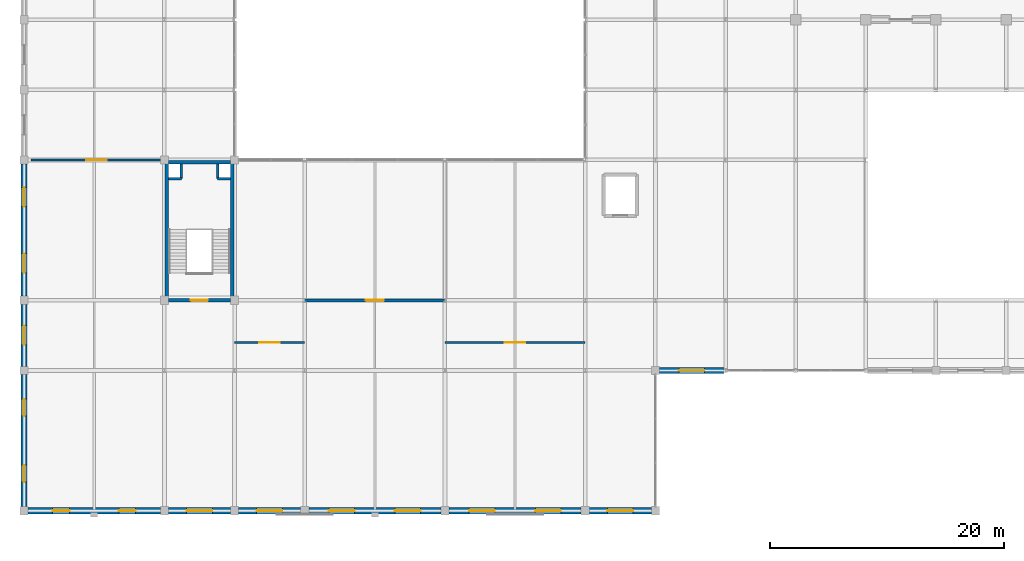
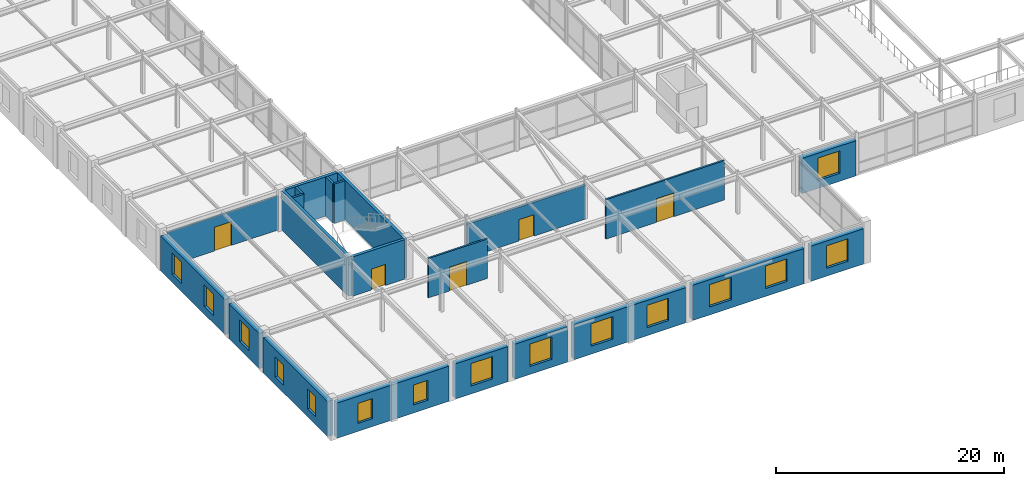
# One storey, part 97 of 108: 22 walls, 15 windows, 5 doors, 20 openings.
"""IFC4 building model written with IfcOpenShell, lengths in metres."""

import ifcopenshell
import ifcopenshell.guid

model = None  # the IFC model being written
_history = None  # IfcOwnerHistory: only IFC2X3 demands one
_inside = {}  # id of a spatial element -> (the spatial element, [elements in it])
_under = {}  # id of a project, library or spatial element -> (it, [spatial elements below it])
_declared = {}  # id of a project -> (the project, [libraries it declares])
_typed = {}  # id of a type object -> (the type object, [elements of that type])
_made_of = {}  # id of a material, layer set ... -> (it, [elements and type objects made of it])


def new_model(schema):
    """Start an empty IFC model of exactly this schema.

    Asked for "IFC4X3", IfcOpenShell would pick the latest addendum, in which some entities
    have other attributes; the version numbers below select the first issue.
    IFC2X3 requires an IfcOwnerHistory on every rooted entity: one is made here for all.
    """
    global model, _history
    if schema == "IFC4X3":
        model = ifcopenshell.file(schema_version=(4, 3, 0, 0))
    else:
        model = ifcopenshell.file(schema=schema)
    _inside.clear()
    _under.clear()
    _declared.clear()
    _typed.clear()
    _made_of.clear()
    _history = None
    if model.schema == "IFC2X3":
        org = make("IfcOrganization", Name="unknown")
        user = make(
            "IfcPersonAndOrganization",
            ThePerson=make("IfcPerson", FamilyName="unknown"),
            TheOrganization=org,
        )
        app = make(
            "IfcApplication",
            ApplicationDeveloper=org,
            Version="unknown",
            ApplicationFullName="unknown",
            ApplicationIdentifier="unknown",
        )
        _history = make(
            "IfcOwnerHistory",
            OwningUser=user,
            OwningApplication=app,
            ChangeAction="ADDED",
            CreationDate=0,
        )
    return model


def make(cls, **values):
    """One entity of the class cls with the attributes given. An attribute that is None is left unset."""
    return model.create_entity(
        cls, **{name: value for name, value in values.items() if value is not None}
    )


def rooted(cls, **values):
    """An entity with a GlobalId (a new one), such as an element, a storey or a relation."""
    return make(cls, GlobalId=ifcopenshell.guid.new(), OwnerHistory=_history, **values)


def si_unit(unit_type, name, prefix=None):
    """IfcSIUnit, for example si_unit("LENGTHUNIT", "METRE", prefix="MILLI")."""
    return make("IfcSIUnit", UnitType=unit_type, Prefix=prefix, Name=name)


def assignment(units):
    """IfcUnitAssignment: the units of a project."""
    return None if units is None else make("IfcUnitAssignment", Units=units)


def point(xyz):
    """IfcCartesianPoint."""
    return None if xyz is None else make("IfcCartesianPoint", Coordinates=xyz)


def direction(xyz):
    """IfcDirection."""
    return None if xyz is None else make("IfcDirection", DirectionRatios=xyz)


def frame(location, z_axis=None, x_axis=None):
    """IfcAxis2Placement3D, a coordinate frame: its origin and axes. An axis left out is left unset."""
    return make(
        "IfcAxis2Placement3D",
        Location=point(location),
        Axis=direction(z_axis),
        RefDirection=direction(x_axis),
    )


def frame_2d(location, x_axis=None):
    """IfcAxis2Placement2D, a coordinate frame in the plane: its origin and x axis."""
    return make(
        "IfcAxis2Placement2D", Location=point(location), RefDirection=direction(x_axis)
    )


def origin():
    """The frame at (0, 0, 0) with its axes left unset."""
    return frame((0.0, 0.0, 0.0))


def place(relative_to, where):
    """IfcLocalPlacement: puts the frame where relative to a parent placement (None: the world)."""
    return make(
        "IfcLocalPlacement", PlacementRelTo=relative_to, RelativePlacement=where
    )


def context(
    kind, dimensions, precision=None, world=None, true_north=None, identifier=None
):
    """IfcGeometricRepresentationContext, for example the 3D "Model" context."""
    return make(
        "IfcGeometricRepresentationContext",
        ContextIdentifier=identifier,
        ContextType=kind,
        CoordinateSpaceDimension=dimensions,
        Precision=precision,
        WorldCoordinateSystem=world,
        TrueNorth=true_north,
    )


def subcontext(parent, identifier, kind, view, scale=None):
    """IfcGeometricRepresentationSubContext, for example "Body" below "Model"."""
    return make(
        "IfcGeometricRepresentationSubContext",
        ContextIdentifier=identifier,
        ContextType=kind,
        ParentContext=parent,
        TargetScale=scale,
        TargetView=view,
    )


def project(units=None, contexts=None):
    """IfcProject with its units and contexts."""
    return rooted(
        "IfcProject",
        Name="project",
        RepresentationContexts=contexts,
        UnitsInContext=assignment(units),
    )


def spatial(cls, under=None, at=None, **own):
    """A site, building, storey or space (cls), placed at a placement, below another one or the project."""
    s = rooted(cls, ObjectPlacement=at, **own)
    if under is not None:
        _under.setdefault(under.id(), (under, []))[1].append(s)
    return s


def profile(cls, at=None, kind="AREA", **sizes):
    """A parametric profile (cls). Its sizes go by their IFC names, for example OverallWidth=200.0."""
    return make(cls, ProfileType=kind, Position=at, **sizes)


def rectangle(**sizes):
    """IfcRectangleProfileDef."""
    return profile("IfcRectangleProfileDef", **sizes)


def extrude(swept, where, along, depth):
    """IfcExtrudedAreaSolid: the profile swept, set in the frame where, extruded along a direction by depth."""
    return make(
        "IfcExtrudedAreaSolid",
        SweptArea=swept,
        Position=where,
        ExtrudedDirection=direction(along),
        Depth=depth,
    )


def shape(context_of_items, identifier, shape_type, items):
    """IfcShapeRepresentation: the items that make up one representation, for example the "Body"."""
    return make(
        "IfcShapeRepresentation",
        ContextOfItems=context_of_items,
        RepresentationIdentifier=identifier,
        RepresentationType=shape_type,
        Items=items,
    )


def material(Name=None, Category=None):
    """IfcMaterial."""
    return make("IfcMaterial", Name=Name, Category=Category)


def layer(
    of_material, thickness, ventilated=None, Name=None, Category=None, Priority=None
):
    """IfcMaterialLayer: one layer of a wall or slab, of a material (None: an air gap)."""
    return make(
        "IfcMaterialLayer",
        Material=of_material,
        LayerThickness=thickness,
        IsVentilated=ventilated,
        Name=Name,
        Category=Category,
        Priority=Priority,
    )


def layer_set(layers, Name=None):
    """IfcMaterialLayerSet."""
    return make("IfcMaterialLayerSet", MaterialLayers=layers, LayerSetName=Name)


def made_of(thing, what):
    """Note that an element or type object is made of a material, layer set ...; save() writes the relation."""
    if what is not None:
        _made_of.setdefault(what.id(), (what, []))[1].append(thing)
    return thing


def type_object(cls, material=None, **own):
    """A type object (cls), such as IfcWallType, which elements share."""
    return made_of(rooted(cls, **own), material)


def element(
    cls,
    number,
    at=None,
    inside=None,
    cuts=None,
    type_object=None,
    material=None,
    context=None,
    identifier="Body",
    shape_type=None,
    held_by="IfcProductDefinitionShape",
    body=None,
    shapes=None,
    **own,
):
    """One element of the class cls, such as IfcWall. Its Tag is "e" and its number.

    at: its placement. inside: the storey or other place that contains it. cuts: it is an
    opening in that element (IfcRelVoidsElement). A single representation is given by context,
    identifier, shape_type and body (its items); several are given by shapes. held_by: the class
    of the entity that holds the representations. save() writes the other relations.
    """
    e = rooted(cls, Tag="e%d" % number, ObjectPlacement=at, **own)
    if body is not None:
        shapes = [shape(context, identifier, shape_type, body)]
    if shapes is not None:
        e.Representation = make(held_by, Representations=shapes)
    if inside is not None:
        _inside.setdefault(inside.id(), (inside, []))[1].append(e)
    if cuts is not None:
        rooted(
            "IfcRelVoidsElement", RelatingBuildingElement=cuts, RelatedOpeningElement=e
        )
    if type_object is not None:
        _typed.setdefault(type_object.id(), (type_object, []))[1].append(e)
    return made_of(e, material)


def fill(opening, filler):
    """IfcRelFillsElement: the door or window that sits in an opening."""
    return rooted(
        "IfcRelFillsElement",
        RelatingOpeningElement=opening,
        RelatedBuildingElement=filler,
    )


def aggregate(whole, parts):
    """IfcRelAggregates: a whole, such as a stair, and the parts it consists of."""
    return rooted("IfcRelAggregates", RelatingObject=whole, RelatedObjects=parts)


def save(model, path):
    """Write the relations noted so far, then the file.

    IfcRelAggregates (storeys below a building ...), IfcRelContainedInSpatialStructure (elements
    in a storey), IfcRelDefinesByType, IfcRelAssociatesMaterial and IfcRelDeclares: one each for
    every whole, place, type object, material and project.
    """
    for whole, parts in _under.values():
        aggregate(whole, parts)
    for where, things in _inside.values():
        rooted(
            "IfcRelContainedInSpatialStructure",
            RelatedElements=things,
            RelatingStructure=where,
        )
    for kind, things in _typed.values():
        rooted("IfcRelDefinesByType", RelatedObjects=things, RelatingType=kind)
    for what, things in _made_of.values():
        rooted("IfcRelAssociatesMaterial", RelatedObjects=things, RelatingMaterial=what)
    for by, libraries in _declared.values():
        rooted("IfcRelDeclares", RelatingContext=by, RelatedDefinitions=libraries)
    model.write(path)


model = new_model("IFC4")

# Units and contexts
model_context = context("Model", 3, precision=1e-05, world=origin(), true_north=direction((0.0, 1.0)))
body_context = subcontext(model_context, "Body", "Model", "MODEL_VIEW")
ifc_project = project(units=[si_unit("LENGTHUNIT", "METRE"), si_unit("AREAUNIT", "SQUARE_METRE"), si_unit("VOLUMEUNIT", "CUBIC_METRE"), si_unit("PLANEANGLEUNIT", "RADIAN"), si_unit("MASSUNIT", "GRAM", prefix="KILO")], contexts=[model_context])

# Site, building, storey
site_placement = place(None, origin())
site = spatial("IfcSite", under=ifc_project, at=site_placement, CompositionType="ELEMENT")
building_placement = place(site_placement, origin())
building = spatial("IfcBuilding", under=site, at=building_placement, Name="Zlatovratsky Civic Hall", CompositionType="ELEMENT")
storey_placement = place(building_placement, frame((0.0, 0.0, 12.0)))
storey = spatial("IfcBuildingStorey", under=building, at=storey_placement, Name="L03", CompositionType="ELEMENT", Elevation=12.0)

# Wall, opening, door
ifc_material_1 = material(Name="Acoustic ceramic blockwork", Category="masonry")
ifc_layer_1 = layer(ifc_material_1, 0.179931640625)
ifc_layer_set_1 = layer_set([ifc_layer_1], Name="Acoustic ceramic blockwork")
wall_type_1 = type_object("IfcWallType", Name="Wall_AcousticChamberPartition_180", PredefinedType="PARTITIONING", material=ifc_layer_set_1)
wall_1_placement = place(storey_placement, frame((18.0, 14.39990234375, 0.0), z_axis=(0.0, 0.0, 1.0), x_axis=(1.0, 0.0, 0.0)))
wall_1 = element("IfcWall", 1, at=wall_1_placement, inside=storey, type_object=wall_type_1, Name="WL-6173", PredefinedType="PARTITIONING", context=body_context, shape_type="SweptSolid", body=[
    extrude(rectangle(XDim=6.0, YDim=0.179931640625, at=frame_2d((3.0, 0.0))), origin(), (0.0, 0.0, 1.0), 4.219970703125),
])
opening_1_placement = place(wall_1_placement, frame((2.125, 0.0, 0.0)))
opening_1 = element("IfcOpeningElement", 2, at=opening_1_placement, cuts=wall_1, Name="Opening D-13", PredefinedType="OPENING", context=body_context, shape_type="SweptSolid", body=[
    extrude(rectangle(XDim=1.75, YDim=2.550048828125, at=frame_2d((0.875, 1.27490234375))), frame((0.0, 0.10498046875, 0.0), z_axis=(0.0, -1.0, 0.0), x_axis=(1.0, 0.0, 0.0)), (0.0, 0.0, 1.0), 0.209716796875),
])
ifc_material_2 = material(Name="Solid oak joinery in steel frame", Category="steel")
door_type_1 = type_object("IfcDoorType", Name="Door_CommitteeSuiteDouble_1750x2550", OperationType="DOUBLE_DOOR_SINGLE_SWING", PredefinedType="DOOR", material=ifc_material_2)
door_1_placement = place(opening_1_placement, origin())
door_1 = element("IfcDoor", 3, at=door_1_placement, inside=storey, type_object=door_type_1, Name="DR-5294", OperationType="DOUBLE_DOOR_SINGLE_SWING", OverallHeight=2.550048828125, OverallWidth=1.75, PredefinedType="DOOR", context=body_context, shape_type="SweptSolid", body=[
    extrude(rectangle(XDim=1.75, YDim=2.550048828125, at=frame_2d((0.875, 1.27490234375))), frame((0.0, 0.02490234375, 0.0), z_axis=(0.0, -1.0, 0.0), x_axis=(1.0, 0.0, 0.0)), (0.0, 0.0, 1.0), 0.050048828125),
])
fill(opening_1, door_1)

wall_2_placement = place(storey_placement, frame((36.0, 14.39990234375, 0.0), z_axis=(0.0, 0.0, 1.0), x_axis=(1.0, 0.0, 0.0)))
wall_2 = element("IfcWall", 4, at=wall_2_placement, inside=storey, type_object=wall_type_1, Name="WL-6174", PredefinedType="PARTITIONING", context=body_context, shape_type="SweptSolid", body=[
    extrude(rectangle(XDim=12.0, YDim=0.179931640625, at=frame_2d((6.0, 0.0))), origin(), (0.0, 0.0, 1.0), 4.219970703125),
])
opening_2_placement = place(wall_2_placement, frame((5.125, 0.0, 0.0)))
opening_2 = element("IfcOpeningElement", 5, at=opening_2_placement, cuts=wall_2, Name="Opening D-13", PredefinedType="OPENING", context=body_context, shape_type="SweptSolid", body=[
    extrude(rectangle(XDim=1.75, YDim=2.550048828125, at=frame_2d((0.875, 1.27490234375))), frame((0.0, 0.10498046875, 0.0), z_axis=(0.0, -1.0, 0.0), x_axis=(1.0, 0.0, 0.0)), (0.0, 0.0, 1.0), 0.209716796875),
])
door_2_placement = place(opening_2_placement, origin())
door_2 = element("IfcDoor", 6, at=door_2_placement, inside=storey, type_object=door_type_1, Name="DR-5295", OperationType="DOUBLE_DOOR_SINGLE_SWING", OverallHeight=2.550048828125, OverallWidth=1.75, PredefinedType="DOOR", context=body_context, shape_type="SweptSolid", body=[
    extrude(rectangle(XDim=1.75, YDim=2.550048828125, at=frame_2d((0.875, 1.27490234375))), frame((0.0, 0.02490234375, 0.0), z_axis=(0.0, -1.0, 0.0), x_axis=(1.0, 0.0, 0.0)), (0.0, 0.0, 1.0), 0.050048828125),
])
fill(opening_2, door_2)

wall_3_placement = place(storey_placement, frame((0.60009765625, 30.0, 0.0), z_axis=(0.0, 0.0, 1.0), x_axis=(1.0, 0.0, 0.0)))
wall_3 = element("IfcWall", 7, at=wall_3_placement, inside=storey, type_object=wall_type_1, Name="WL-6175", PredefinedType="PARTITIONING", context=body_context, shape_type="SweptSolid", body=[
    extrude(rectangle(XDim=11.199951171875, YDim=0.179931640625, at=frame_2d((5.60009765625, 0.0))), origin(), (0.0, 0.0, 1.0), 3.637939453125),
])
opening_3_placement = place(wall_3_placement, frame((4.72509765625, 0.0, 0.0)))
opening_3 = element("IfcOpeningElement", 8, at=opening_3_placement, cuts=wall_3, Name="Opening D-13", PredefinedType="OPENING", context=body_context, shape_type="SweptSolid", body=[
    extrude(rectangle(XDim=1.75, YDim=2.550048828125, at=frame_2d((0.875, 1.27490234375))), frame((0.0, 0.10498046875, 0.0), z_axis=(0.0, -1.0, 0.0), x_axis=(1.0, 0.0, 0.0)), (0.0, 0.0, 1.0), 0.209716796875),
])
door_3_placement = place(opening_3_placement, origin())
door_3 = element("IfcDoor", 9, at=door_3_placement, inside=storey, type_object=door_type_1, Name="DR-5296", OperationType="DOUBLE_DOOR_SINGLE_SWING", OverallHeight=2.550048828125, OverallWidth=1.75, PredefinedType="DOOR", context=body_context, shape_type="SweptSolid", body=[
    extrude(rectangle(XDim=1.75, YDim=2.550048828125, at=frame_2d((0.875, 1.27490234375))), frame((0.0, 0.02490234375, 0.0), z_axis=(0.0, -1.0, 0.0), x_axis=(1.0, 0.0, 0.0)), (0.0, 0.0, 1.0), 0.050048828125),
])
fill(opening_3, door_3)

ifc_layer_2 = layer(ifc_material_1, 0.260009765625)
ifc_layer_set_2 = layer_set([ifc_layer_2], Name="Acoustic ceramic blockwork")
wall_type_2 = type_object("IfcWallType", Name="Wall_ArchiveCompartment_260", PredefinedType="PARTITIONING", material=ifc_layer_set_2)
wall_4_placement = place(storey_placement, frame((24.0, 18.0, 0.0), z_axis=(0.0, 0.0, 1.0), x_axis=(1.0, 0.0, 0.0)))
wall_4 = element("IfcWall", 10, at=wall_4_placement, inside=storey, type_object=wall_type_2, Name="WL-6179", PredefinedType="PARTITIONING", context=body_context, shape_type="SweptSolid", body=[
    extrude(rectangle(XDim=12.0, YDim=0.260009765625, at=frame_2d((6.0, 0.0))), origin(), (0.0, 0.0, 1.0), 3.637939453125),
])
opening_4_placement = place(wall_4_placement, frame((5.22509765625, 0.0, 0.0)))
opening_4 = element("IfcOpeningElement", 11, at=opening_4_placement, cuts=wall_4, Name="Opening D-15", PredefinedType="OPENING", context=body_context, shape_type="SweptSolid", body=[
    extrude(rectangle(XDim=1.550048828125, YDim=2.300048828125, at=frame_2d((0.77490234375, 1.14990234375))), frame((0.0, 0.14501953125, 0.0), z_axis=(0.0, -1.0, 0.0), x_axis=(1.0, 0.0, 0.0)), (0.0, 0.0, 1.0), 0.289794921875),
])
ifc_material_3 = material(Name="Insulated painted fire-rated steel leaf", Category="steel")
door_type_2 = type_object("IfcDoorType", Name="Door_CompactArchiveFire_1550x2300", OperationType="DOUBLE_DOOR_SINGLE_SWING", PredefinedType="DOOR", material=ifc_material_3)
door_4_placement = place(opening_4_placement, origin())
door_4 = element("IfcDoor", 12, at=door_4_placement, inside=storey, type_object=door_type_2, Name="DR-5300", OperationType="DOUBLE_DOOR_SINGLE_SWING", OverallHeight=2.300048828125, OverallWidth=1.550048828125, PredefinedType="DOOR", context=body_context, shape_type="SweptSolid", body=[
    extrude(rectangle(XDim=1.550048828125, YDim=2.300048828125, at=frame_2d((0.77490234375, 1.14990234375))), frame((0.0, 0.02490234375, 0.0), z_axis=(0.0, -1.0, 0.0), x_axis=(1.0, 0.0, 0.0)), (0.0, 0.0, 1.0), 0.050048828125),
])
fill(opening_4, door_4)

# Wall, openings, windows
ifc_layer_3 = layer(ifc_material_1, 0.39990234375, Name="Backing")
ifc_material_4 = material(Name="Polished Karelian granite ashlar", Category="masonry")
ifc_layer_4 = layer(ifc_material_4, 0.139892578125, Name="Finish")
ifc_layer_set_3 = layer_set([ifc_layer_3, ifc_layer_4], Name="Acoustic ceramic blockwork")
wall_type_3 = type_object("IfcWallType", Name="Wall_PodiumGraniteArcade_540", PredefinedType="SOLIDWALL", material=ifc_layer_set_3)
wall_5_placement = place(storey_placement, frame((0.35009765625, 0.0, 0.0), z_axis=(0.0, 0.0, 1.0), x_axis=(1.0, 0.0, 0.0)))
wall_5 = element("IfcWall", 13, at=wall_5_placement, inside=storey, type_object=wall_type_3, Name="WL-0241", PredefinedType="SOLIDWALL", context=body_context, shape_type="SweptSolid", body=[
    extrude(rectangle(XDim=11.2998046875, YDim=0.5400390625, at=frame_2d((5.64990234375, 0.0))), origin(), (0.0, 0.0, 1.0), 3.77001953125),
])
opening_5_placement = place(wall_5_placement, frame((2.10009765625, 0.0, 0.85009765625)))
opening_5 = element("IfcOpeningElement", 14, at=opening_5_placement, cuts=wall_5, Name="Opening WN-28", PredefinedType="OPENING", context=body_context, shape_type="SweptSolid", body=[
    extrude(rectangle(XDim=1.449951171875, YDim=2.14990234375, at=frame_2d((0.72509765625, 1.074951171875))), frame((0.0, 0.284912109375, 0.0), z_axis=(0.0, -1.0, 0.0), x_axis=(1.0, 0.0, 0.0)), (0.0, 0.0, 1.0), 0.56982421875),
])
opening_6_placement = place(wall_5_placement, frame((7.75, 0.0, 0.85009765625)))
opening_6 = element("IfcOpeningElement", 15, at=opening_6_placement, cuts=wall_5, Name="Opening WN-28", PredefinedType="OPENING", context=body_context, shape_type="SweptSolid", body=[
    extrude(rectangle(XDim=1.449951171875, YDim=2.14990234375, at=frame_2d((0.72509765625, 1.074951171875))), frame((0.0, 0.284912109375, 0.0), z_axis=(0.0, -1.0, 0.0), x_axis=(1.0, 0.0, 0.0)), (0.0, 0.0, 1.0), 0.56982421875),
])
ifc_material_5 = material(Name="Low-E laminated double glazing", Category="glass")
window_type_1 = type_object("IfcWindowType", Name="Window_CornerBastionUpper_1450x2150", PartitioningType="SINGLE_PANEL", PredefinedType="WINDOW", material=ifc_material_5)
window_1_placement = place(opening_5_placement, origin())
window_1 = element("IfcWindow", 16, at=window_1_placement, inside=storey, type_object=window_type_1, Name="WN-0165", OverallHeight=2.14990234375, OverallWidth=1.449951171875, PartitioningType="SINGLE_PANEL", PredefinedType="WINDOW", context=body_context, shape_type="SweptSolid", body=[
    extrude(rectangle(XDim=1.449951171875, YDim=2.14990234375, at=frame_2d((0.72509765625, 1.074951171875))), frame((0.0, 0.030029296875, 0.0), z_axis=(0.0, -1.0, 0.0), x_axis=(1.0, 0.0, 0.0)), (0.0, 0.0, 1.0), 0.06005859375),
])
fill(opening_5, window_1)
window_2_placement = place(opening_6_placement, origin())
window_2 = element("IfcWindow", 17, at=window_2_placement, inside=storey, type_object=window_type_1, Name="WN-0166", OverallHeight=2.14990234375, OverallWidth=1.449951171875, PartitioningType="SINGLE_PANEL", PredefinedType="WINDOW", context=body_context, shape_type="SweptSolid", body=[
    extrude(rectangle(XDim=1.449951171875, YDim=2.14990234375, at=frame_2d((0.72509765625, 1.074951171875))), frame((0.0, 0.030029296875, 0.0), z_axis=(0.0, -1.0, 0.0), x_axis=(1.0, 0.0, 0.0)), (0.0, 0.0, 1.0), 0.06005859375),
])
fill(opening_6, window_2)

# Wall, opening, window
wall_6_placement = place(storey_placement, frame((12.35009765625, 0.0, 0.0), z_axis=(0.0, 0.0, 1.0), x_axis=(1.0, 0.0, 0.0)))
wall_6 = element("IfcWall", 18, at=wall_6_placement, inside=storey, type_object=wall_type_3, Name="WL-0242", PredefinedType="SOLIDWALL", context=body_context, shape_type="SweptSolid", body=[
    extrude(rectangle(XDim=5.2998046875, YDim=0.5400390625, at=frame_2d((2.64990234375, 0.0))), origin(), (0.0, 0.0, 1.0), 3.77001953125),
])
opening_7_placement = place(wall_6_placement, frame((1.550048828125, 0.0, 0.85009765625)))
opening_7 = element("IfcOpeningElement", 19, at=opening_7_placement, cuts=wall_6, Name="Opening WN-07", PredefinedType="OPENING", context=body_context, shape_type="SweptSolid", body=[
    extrude(rectangle(XDim=2.199951171875, YDim=2.39990234375, at=frame_2d((1.10009765625, 1.199951171875))), frame((0.0, 0.284912109375, 0.0), z_axis=(0.0, -1.0, 0.0), x_axis=(1.0, 0.0, 0.0)), (0.0, 0.0, 1.0), 0.56982421875),
])
window_type_2 = type_object("IfcWindowType", Name="Window_GalleryClerestory_2200x2400", PartitioningType="SINGLE_PANEL", PredefinedType="WINDOW", material=ifc_material_5)
window_3_placement = place(opening_7_placement, origin())
window_3 = element("IfcWindow", 20, at=window_3_placement, inside=storey, type_object=window_type_2, Name="WN-0167", OverallHeight=2.39990234375, OverallWidth=2.199951171875, PartitioningType="SINGLE_PANEL", PredefinedType="WINDOW", context=body_context, shape_type="SweptSolid", body=[
    extrude(rectangle(XDim=2.199951171875, YDim=2.39990234375, at=frame_2d((1.10009765625, 1.199951171875))), frame((0.0, 0.030029296875, 0.0), z_axis=(0.0, -1.0, 0.0), x_axis=(1.0, 0.0, 0.0)), (0.0, 0.0, 1.0), 0.06005859375),
])
fill(opening_7, window_3)

wall_7_placement = place(storey_placement, frame((18.35009765625, 0.0, 0.0), z_axis=(0.0, 0.0, 1.0), x_axis=(1.0, 0.0, 0.0)))
wall_7 = element("IfcWall", 21, at=wall_7_placement, inside=storey, type_object=wall_type_3, Name="WL-0243", PredefinedType="SOLIDWALL", context=body_context, shape_type="SweptSolid", body=[
    extrude(rectangle(XDim=5.2998046875, YDim=0.5400390625, at=frame_2d((2.64990234375, 0.0))), origin(), (0.0, 0.0, 1.0), 3.77001953125),
])
opening_8_placement = place(wall_7_placement, frame((1.550048828125, 0.0, 0.85009765625)))
opening_8 = element("IfcOpeningElement", 22, at=opening_8_placement, cuts=wall_7, Name="Opening WN-07", PredefinedType="OPENING", context=body_context, shape_type="SweptSolid", body=[
    extrude(rectangle(XDim=2.199951171875, YDim=2.39990234375, at=frame_2d((1.10009765625, 1.199951171875))), frame((0.0, 0.284912109375, 0.0), z_axis=(0.0, -1.0, 0.0), x_axis=(1.0, 0.0, 0.0)), (0.0, 0.0, 1.0), 0.56982421875),
])
window_4_placement = place(opening_8_placement, origin())
window_4 = element("IfcWindow", 23, at=window_4_placement, inside=storey, type_object=window_type_2, Name="WN-0168", OverallHeight=2.39990234375, OverallWidth=2.199951171875, PartitioningType="SINGLE_PANEL", PredefinedType="WINDOW", context=body_context, shape_type="SweptSolid", body=[
    extrude(rectangle(XDim=2.199951171875, YDim=2.39990234375, at=frame_2d((1.10009765625, 1.199951171875))), frame((0.0, 0.030029296875, 0.0), z_axis=(0.0, -1.0, 0.0), x_axis=(1.0, 0.0, 0.0)), (0.0, 0.0, 1.0), 0.06005859375),
])
fill(opening_8, window_4)

# Wall, openings, windows
wall_8_placement = place(storey_placement, frame((24.35009765625, 0.0, 0.0), z_axis=(0.0, 0.0, 1.0), x_axis=(1.0, 0.0, 0.0)))
wall_8 = element("IfcWall", 24, at=wall_8_placement, inside=storey, type_object=wall_type_3, Name="WL-0244", PredefinedType="SOLIDWALL", context=body_context, shape_type="SweptSolid", body=[
    extrude(rectangle(XDim=11.2998046875, YDim=0.5400390625, at=frame_2d((5.64990234375, 0.0))), origin(), (0.0, 0.0, 1.0), 3.77001953125),
])
opening_9_placement = place(wall_8_placement, frame((1.72509765625, 0.0, 0.85009765625)))
opening_9 = element("IfcOpeningElement", 25, at=opening_9_placement, cuts=wall_8, Name="Opening WN-07", PredefinedType="OPENING", context=body_context, shape_type="SweptSolid", body=[
    extrude(rectangle(XDim=2.199951171875, YDim=2.39990234375, at=frame_2d((1.10009765625, 1.199951171875))), frame((0.0, 0.284912109375, 0.0), z_axis=(0.0, -1.0, 0.0), x_axis=(1.0, 0.0, 0.0)), (0.0, 0.0, 1.0), 0.56982421875),
])
opening_10_placement = place(wall_8_placement, frame((7.375, 0.0, 0.85009765625)))
opening_10 = element("IfcOpeningElement", 26, at=opening_10_placement, cuts=wall_8, Name="Opening WN-07", PredefinedType="OPENING", context=body_context, shape_type="SweptSolid", body=[
    extrude(rectangle(XDim=2.199951171875, YDim=2.39990234375, at=frame_2d((1.10009765625, 1.199951171875))), frame((0.0, 0.284912109375, 0.0), z_axis=(0.0, -1.0, 0.0), x_axis=(1.0, 0.0, 0.0)), (0.0, 0.0, 1.0), 0.56982421875),
])
window_5_placement = place(opening_9_placement, origin())
window_5 = element("IfcWindow", 27, at=window_5_placement, inside=storey, type_object=window_type_2, Name="WN-0169", OverallHeight=2.39990234375, OverallWidth=2.199951171875, PartitioningType="SINGLE_PANEL", PredefinedType="WINDOW", context=body_context, shape_type="SweptSolid", body=[
    extrude(rectangle(XDim=2.199951171875, YDim=2.39990234375, at=frame_2d((1.10009765625, 1.199951171875))), frame((0.0, 0.030029296875, 0.0), z_axis=(0.0, -1.0, 0.0), x_axis=(1.0, 0.0, 0.0)), (0.0, 0.0, 1.0), 0.06005859375),
])
fill(opening_9, window_5)
window_6_placement = place(opening_10_placement, origin())
window_6 = element("IfcWindow", 28, at=window_6_placement, inside=storey, type_object=window_type_2, Name="WN-0170", OverallHeight=2.39990234375, OverallWidth=2.199951171875, PartitioningType="SINGLE_PANEL", PredefinedType="WINDOW", context=body_context, shape_type="SweptSolid", body=[
    extrude(rectangle(XDim=2.199951171875, YDim=2.39990234375, at=frame_2d((1.10009765625, 1.199951171875))), frame((0.0, 0.030029296875, 0.0), z_axis=(0.0, -1.0, 0.0), x_axis=(1.0, 0.0, 0.0)), (0.0, 0.0, 1.0), 0.06005859375),
])
fill(opening_10, window_6)

wall_9_placement = place(storey_placement, frame((36.35009765625, 0.0, 0.0), z_axis=(0.0, 0.0, 1.0), x_axis=(1.0, 0.0, 0.0)))
wall_9 = element("IfcWall", 29, at=wall_9_placement, inside=storey, type_object=wall_type_3, Name="WL-0245", PredefinedType="SOLIDWALL", context=body_context, shape_type="SweptSolid", body=[
    extrude(rectangle(XDim=11.2998046875, YDim=0.5400390625, at=frame_2d((5.64990234375, 0.0))), origin(), (0.0, 0.0, 1.0), 3.77001953125),
])
opening_11_placement = place(wall_9_placement, frame((1.72509765625, 0.0, 0.85009765625)))
opening_11 = element("IfcOpeningElement", 30, at=opening_11_placement, cuts=wall_9, Name="Opening WN-07", PredefinedType="OPENING", context=body_context, shape_type="SweptSolid", body=[
    extrude(rectangle(XDim=2.199951171875, YDim=2.39990234375, at=frame_2d((1.10009765625, 1.199951171875))), frame((0.0, 0.284912109375, 0.0), z_axis=(0.0, -1.0, 0.0), x_axis=(1.0, 0.0, 0.0)), (0.0, 0.0, 1.0), 0.56982421875),
])
opening_12_placement = place(wall_9_placement, frame((7.375, 0.0, 0.85009765625)))
opening_12 = element("IfcOpeningElement", 31, at=opening_12_placement, cuts=wall_9, Name="Opening WN-07", PredefinedType="OPENING", context=body_context, shape_type="SweptSolid", body=[
    extrude(rectangle(XDim=2.199951171875, YDim=2.39990234375, at=frame_2d((1.10009765625, 1.199951171875))), frame((0.0, 0.284912109375, 0.0), z_axis=(0.0, -1.0, 0.0), x_axis=(1.0, 0.0, 0.0)), (0.0, 0.0, 1.0), 0.56982421875),
])
window_7_placement = place(opening_11_placement, origin())
window_7 = element("IfcWindow", 32, at=window_7_placement, inside=storey, type_object=window_type_2, Name="WN-0171", OverallHeight=2.39990234375, OverallWidth=2.199951171875, PartitioningType="SINGLE_PANEL", PredefinedType="WINDOW", context=body_context, shape_type="SweptSolid", body=[
    extrude(rectangle(XDim=2.199951171875, YDim=2.39990234375, at=frame_2d((1.10009765625, 1.199951171875))), frame((0.0, 0.030029296875, 0.0), z_axis=(0.0, -1.0, 0.0), x_axis=(1.0, 0.0, 0.0)), (0.0, 0.0, 1.0), 0.06005859375),
])
fill(opening_11, window_7)
window_8_placement = place(opening_12_placement, origin())
window_8 = element("IfcWindow", 33, at=window_8_placement, inside=storey, type_object=window_type_2, Name="WN-0172", OverallHeight=2.39990234375, OverallWidth=2.199951171875, PartitioningType="SINGLE_PANEL", PredefinedType="WINDOW", context=body_context, shape_type="SweptSolid", body=[
    extrude(rectangle(XDim=2.199951171875, YDim=2.39990234375, at=frame_2d((1.10009765625, 1.199951171875))), frame((0.0, 0.030029296875, 0.0), z_axis=(0.0, -1.0, 0.0), x_axis=(1.0, 0.0, 0.0)), (0.0, 0.0, 1.0), 0.06005859375),
])
fill(opening_12, window_8)

# Wall, opening, window
wall_10_placement = place(storey_placement, frame((48.35009765625, 0.0, 0.0), z_axis=(0.0, 0.0, 1.0), x_axis=(1.0, 0.0, 0.0)))
wall_10 = element("IfcWall", 34, at=wall_10_placement, inside=storey, type_object=wall_type_3, Name="WL-0246", PredefinedType="SOLIDWALL", context=body_context, shape_type="SweptSolid", body=[
    extrude(rectangle(XDim=5.2998046875, YDim=0.5400390625, at=frame_2d((2.64990234375, 0.0))), origin(), (0.0, 0.0, 1.0), 3.77001953125),
])
opening_13_placement = place(wall_10_placement, frame((1.550048828125, 0.0, 0.85009765625)))
opening_13 = element("IfcOpeningElement", 35, at=opening_13_placement, cuts=wall_10, Name="Opening WN-07", PredefinedType="OPENING", context=body_context, shape_type="SweptSolid", body=[
    extrude(rectangle(XDim=2.199951171875, YDim=2.39990234375, at=frame_2d((1.10009765625, 1.199951171875))), frame((0.0, 0.284912109375, 0.0), z_axis=(0.0, -1.0, 0.0), x_axis=(1.0, 0.0, 0.0)), (0.0, 0.0, 1.0), 0.56982421875),
])
window_9_placement = place(opening_13_placement, origin())
window_9 = element("IfcWindow", 36, at=window_9_placement, inside=storey, type_object=window_type_2, Name="WN-0173", OverallHeight=2.39990234375, OverallWidth=2.199951171875, PartitioningType="SINGLE_PANEL", PredefinedType="WINDOW", context=body_context, shape_type="SweptSolid", body=[
    extrude(rectangle(XDim=2.199951171875, YDim=2.39990234375, at=frame_2d((1.10009765625, 1.199951171875))), frame((0.0, 0.030029296875, 0.0), z_axis=(0.0, -1.0, 0.0), x_axis=(1.0, 0.0, 0.0)), (0.0, 0.0, 1.0), 0.06005859375),
])
fill(opening_13, window_9)

wall_11_placement = place(storey_placement, frame((54.35009765625, 12.0, 0.0), z_axis=(0.0, 0.0, 1.0), x_axis=(1.0, 0.0, 0.0)))
wall_11 = element("IfcWall", 37, at=wall_11_placement, inside=storey, type_object=wall_type_3, Name="WL-0253", PredefinedType="SOLIDWALL", context=body_context, shape_type="SweptSolid", body=[
    extrude(rectangle(XDim=5.50048828125, YDim=0.5400390625, at=frame_2d((2.750244140625, 0.0))), origin(), (0.0, 0.0, 1.0), 3.77001953125),
])
opening_14_placement = place(wall_11_placement, frame((1.64990234375, 0.0, 0.85009765625)))
opening_14 = element("IfcOpeningElement", 38, at=opening_14_placement, cuts=wall_11, Name="Opening WN-07", PredefinedType="OPENING", context=body_context, shape_type="SweptSolid", body=[
    extrude(rectangle(XDim=2.199951171875, YDim=2.39990234375, at=frame_2d((1.10009765625, 1.199951171875))), frame((0.0, 0.284912109375, 0.0), z_axis=(0.0, -1.0, 0.0), x_axis=(1.0, 0.0, 0.0)), (0.0, 0.0, 1.0), 0.56982421875),
])
window_10_placement = place(opening_14_placement, origin())
window_10 = element("IfcWindow", 39, at=window_10_placement, inside=storey, type_object=window_type_2, Name="WN-0183", OverallHeight=2.39990234375, OverallWidth=2.199951171875, PartitioningType="SINGLE_PANEL", PredefinedType="WINDOW", context=body_context, shape_type="SweptSolid", body=[
    extrude(rectangle(XDim=2.199951171875, YDim=2.39990234375, at=frame_2d((1.10009765625, 1.199951171875))), frame((0.0, 0.030029296875, 0.0), z_axis=(0.0, -1.0, 0.0), x_axis=(1.0, 0.0, 0.0)), (0.0, 0.0, 1.0), 0.06005859375),
])
fill(opening_14, window_10)

# Wall, openings, windows
wall_12_placement = place(storey_placement, frame((0.0, 0.35009765625, 0.0), z_axis=(0.0, 0.0, 1.0), x_axis=(0.0, 1.0, 0.0)))
wall_12 = element("IfcWall", 40, at=wall_12_placement, inside=storey, type_object=wall_type_3, Name="WL-0281", PredefinedType="SOLIDWALL", context=body_context, shape_type="SweptSolid", body=[
    extrude(rectangle(XDim=11.2998046875, YDim=0.5400390625, at=frame_2d((5.64990234375, 0.0))), origin(), (0.0, 0.0, 1.0), 3.77001953125),
])
opening_15_placement = place(wall_12_placement, frame((2.10009765625, 0.0, 0.85009765625)))
opening_15 = element("IfcOpeningElement", 41, at=opening_15_placement, cuts=wall_12, Name="Opening WN-28", PredefinedType="OPENING", context=body_context, shape_type="SweptSolid", body=[
    extrude(rectangle(XDim=1.449951171875, YDim=2.14990234375, at=frame_2d((0.72509765625, 1.074951171875))), frame((0.0, 0.284912109375, 0.0), z_axis=(0.0, -1.0, 0.0), x_axis=(1.0, 0.0, 0.0)), (0.0, 0.0, 1.0), 0.56982421875),
])
opening_16_placement = place(wall_12_placement, frame((7.75, 0.0, 0.85009765625)))
opening_16 = element("IfcOpeningElement", 42, at=opening_16_placement, cuts=wall_12, Name="Opening WN-28", PredefinedType="OPENING", context=body_context, shape_type="SweptSolid", body=[
    extrude(rectangle(XDim=1.449951171875, YDim=2.14990234375, at=frame_2d((0.72509765625, 1.074951171875))), frame((0.0, 0.284912109375, 0.0), z_axis=(0.0, -1.0, 0.0), x_axis=(1.0, 0.0, 0.0)), (0.0, 0.0, 1.0), 0.56982421875),
])
window_11_placement = place(opening_15_placement, origin())
window_11 = element("IfcWindow", 43, at=window_11_placement, inside=storey, type_object=window_type_1, Name="WN-0215", OverallHeight=2.14990234375, OverallWidth=1.449951171875, PartitioningType="SINGLE_PANEL", PredefinedType="WINDOW", context=body_context, shape_type="SweptSolid", body=[
    extrude(rectangle(XDim=1.449951171875, YDim=2.14990234375, at=frame_2d((0.72509765625, 1.074951171875))), frame((0.0, 0.030029296875, 0.0), z_axis=(0.0, -1.0, 0.0), x_axis=(1.0, 0.0, 0.0)), (0.0, 0.0, 1.0), 0.06005859375),
])
fill(opening_15, window_11)
window_12_placement = place(opening_16_placement, origin())
window_12 = element("IfcWindow", 44, at=window_12_placement, inside=storey, type_object=window_type_1, Name="WN-0216", OverallHeight=2.14990234375, OverallWidth=1.449951171875, PartitioningType="SINGLE_PANEL", PredefinedType="WINDOW", context=body_context, shape_type="SweptSolid", body=[
    extrude(rectangle(XDim=1.449951171875, YDim=2.14990234375, at=frame_2d((0.72509765625, 1.074951171875))), frame((0.0, 0.030029296875, 0.0), z_axis=(0.0, -1.0, 0.0), x_axis=(1.0, 0.0, 0.0)), (0.0, 0.0, 1.0), 0.06005859375),
])
fill(opening_16, window_12)

# Wall, opening, window
wall_13_placement = place(storey_placement, frame((0.0, 12.35009765625, 0.0), z_axis=(0.0, 0.0, 1.0), x_axis=(0.0, 1.0, 0.0)))
wall_13 = element("IfcWall", 45, at=wall_13_placement, inside=storey, type_object=wall_type_3, Name="WL-0282", PredefinedType="SOLIDWALL", context=body_context, shape_type="SweptSolid", body=[
    extrude(rectangle(XDim=5.2998046875, YDim=0.5400390625, at=frame_2d((2.64990234375, 0.0))), origin(), (0.0, 0.0, 1.0), 3.77001953125),
])
opening_17_placement = place(wall_13_placement, frame((1.824951171875, 0.0, 0.85009765625)))
opening_17 = element("IfcOpeningElement", 46, at=opening_17_placement, cuts=wall_13, Name="Opening WN-09", PredefinedType="OPENING", context=body_context, shape_type="SweptSolid", body=[
    extrude(rectangle(XDim=1.64990234375, YDim=2.300048828125, at=frame_2d((0.824951171875, 1.14990234375))), frame((0.0, 0.284912109375, 0.0), z_axis=(0.0, -1.0, 0.0), x_axis=(1.0, 0.0, 0.0)), (0.0, 0.0, 1.0), 0.56982421875),
])
window_type_3 = type_object("IfcWindowType", Name="Window_CourtWingL03_1650x2300", PartitioningType="SINGLE_PANEL", PredefinedType="WINDOW", material=ifc_material_5)
window_13_placement = place(opening_17_placement, origin())
window_13 = element("IfcWindow", 47, at=window_13_placement, inside=storey, type_object=window_type_3, Name="WN-0217", OverallHeight=2.300048828125, OverallWidth=1.64990234375, PartitioningType="SINGLE_PANEL", PredefinedType="WINDOW", context=body_context, shape_type="SweptSolid", body=[
    extrude(rectangle(XDim=1.64990234375, YDim=2.300048828125, at=frame_2d((0.824951171875, 1.14990234375))), frame((0.0, 0.030029296875, 0.0), z_axis=(0.0, -1.0, 0.0), x_axis=(1.0, 0.0, 0.0)), (0.0, 0.0, 1.0), 0.06005859375),
])
fill(opening_17, window_13)

# Wall, openings, windows
wall_14_placement = place(storey_placement, frame((0.0, 18.35009765625, 0.0), z_axis=(0.0, 0.0, 1.0), x_axis=(0.0, 1.0, 0.0)))
wall_14 = element("IfcWall", 48, at=wall_14_placement, inside=storey, type_object=wall_type_3, Name="WL-0283", PredefinedType="SOLIDWALL", context=body_context, shape_type="SweptSolid", body=[
    extrude(rectangle(XDim=11.2998046875, YDim=0.5400390625, at=frame_2d((5.64990234375, 0.0))), origin(), (0.0, 0.0, 1.0), 3.77001953125),
])
opening_18_placement = place(wall_14_placement, frame((2.0, 0.0, 0.85009765625)))
opening_18 = element("IfcOpeningElement", 49, at=opening_18_placement, cuts=wall_14, Name="Opening WN-09", PredefinedType="OPENING", context=body_context, shape_type="SweptSolid", body=[
    extrude(rectangle(XDim=1.64990234375, YDim=2.300048828125, at=frame_2d((0.824951171875, 1.14990234375))), frame((0.0, 0.284912109375, 0.0), z_axis=(0.0, -1.0, 0.0), x_axis=(1.0, 0.0, 0.0)), (0.0, 0.0, 1.0), 0.56982421875),
])
opening_19_placement = place(wall_14_placement, frame((7.64990234375, 0.0, 0.85009765625)))
opening_19 = element("IfcOpeningElement", 50, at=opening_19_placement, cuts=wall_14, Name="Opening WN-09", PredefinedType="OPENING", context=body_context, shape_type="SweptSolid", body=[
    extrude(rectangle(XDim=1.64990234375, YDim=2.300048828125, at=frame_2d((0.824951171875, 1.14990234375))), frame((0.0, 0.284912109375, 0.0), z_axis=(0.0, -1.0, 0.0), x_axis=(1.0, 0.0, 0.0)), (0.0, 0.0, 1.0), 0.56982421875),
])
window_14_placement = place(opening_18_placement, origin())
window_14 = element("IfcWindow", 51, at=window_14_placement, inside=storey, type_object=window_type_3, Name="WN-0218", OverallHeight=2.300048828125, OverallWidth=1.64990234375, PartitioningType="SINGLE_PANEL", PredefinedType="WINDOW", context=body_context, shape_type="SweptSolid", body=[
    extrude(rectangle(XDim=1.64990234375, YDim=2.300048828125, at=frame_2d((0.824951171875, 1.14990234375))), frame((0.0, 0.030029296875, 0.0), z_axis=(0.0, -1.0, 0.0), x_axis=(1.0, 0.0, 0.0)), (0.0, 0.0, 1.0), 0.06005859375),
])
fill(opening_18, window_14)
window_15_placement = place(opening_19_placement, origin())
window_15 = element("IfcWindow", 52, at=window_15_placement, inside=storey, type_object=window_type_3, Name="WN-0219", OverallHeight=2.300048828125, OverallWidth=1.64990234375, PartitioningType="SINGLE_PANEL", PredefinedType="WINDOW", context=body_context, shape_type="SweptSolid", body=[
    extrude(rectangle(XDim=1.64990234375, YDim=2.300048828125, at=frame_2d((0.824951171875, 1.14990234375))), frame((0.0, 0.030029296875, 0.0), z_axis=(0.0, -1.0, 0.0), x_axis=(1.0, 0.0, 0.0)), (0.0, 0.0, 1.0), 0.06005859375),
])
fill(opening_19, window_15)

# Walls
ifc_layer_5 = layer(ifc_material_1, 0.219970703125)
ifc_layer_set_4 = layer_set([ifc_layer_5], Name="Acoustic ceramic blockwork")
wall_type_4 = type_object("IfcWallType", Name="Wall_SanitaryWetCore_220", PredefinedType="PARTITIONING", material=ifc_layer_set_4)
wall_15_placement = place(storey_placement, frame((13.449951171875, 28.39990234375, 0.0), z_axis=(0.0, 0.0, 1.0), x_axis=(0.0, 1.0, 0.0)))
element("IfcWall", 53, at=wall_15_placement, inside=storey, type_object=wall_type_4, Name="WL-5337", PredefinedType="PARTITIONING", context=body_context, shape_type="SweptSolid", body=[
    extrude(rectangle(XDim=1.25, YDim=0.219970703125, at=frame_2d((0.625, 0.0))), origin(), (0.0, 0.0, 1.0), 4.219970703125),
])
wall_16_placement = place(storey_placement, frame((12.35009765625, 28.39990234375, 0.0), z_axis=(0.0, 0.0, 1.0), x_axis=(1.0, 0.0, 0.0)))
element("IfcWall", 54, at=wall_16_placement, inside=storey, type_object=wall_type_4, Name="WL-5338", PredefinedType="PARTITIONING", context=body_context, shape_type="SweptSolid", body=[
    extrude(rectangle(XDim=1.099853515625, YDim=0.219970703125, at=frame_2d((0.5498046875, 0.0))), origin(), (0.0, 0.0, 1.0), 4.219970703125),
])
wall_17_placement = place(storey_placement, frame((16.550048828125, 28.39990234375, 0.0), z_axis=(0.0, 0.0, 1.0), x_axis=(0.0, 1.0, 0.0)))
element("IfcWall", 55, at=wall_17_placement, inside=storey, type_object=wall_type_4, Name="WL-5339", PredefinedType="PARTITIONING", context=body_context, shape_type="SweptSolid", body=[
    extrude(rectangle(XDim=1.25, YDim=0.219970703125, at=frame_2d((0.625, 0.0))), origin(), (0.0, 0.0, 1.0), 4.219970703125),
])
wall_18_placement = place(storey_placement, frame((16.550048828125, 28.39990234375, 0.0), z_axis=(0.0, 0.0, 1.0), x_axis=(1.0, 0.0, 0.0)))
element("IfcWall", 56, at=wall_18_placement, inside=storey, type_object=wall_type_4, Name="WL-5340", PredefinedType="PARTITIONING", context=body_context, shape_type="SweptSolid", body=[
    extrude(rectangle(XDim=1.099853515625, YDim=0.219970703125, at=frame_2d((0.5498046875, 0.0))), origin(), (0.0, 0.0, 1.0), 4.219970703125),
])

# Wall, opening, door
ifc_material_6 = material(Name="Concrete C35/45 (B40)", Category="concrete")
ifc_layer_6 = layer(ifc_material_6, 0.300048828125)
ifc_layer_set_5 = layer_set([ifc_layer_6], Name="Concrete C35/45 (B40)")
wall_type_5 = type_object("IfcWallType", Name="Wall_StairAndLiftShaft_300", PredefinedType="SHEAR", material=ifc_layer_set_5)
wall_19_placement = place(storey_placement, frame((12.35009765625, 18.0, 0.0), z_axis=(0.0, 0.0, 1.0), x_axis=(1.0, 0.0, 0.0)))
wall_19 = element("IfcWall", 57, at=wall_19_placement, inside=storey, type_object=wall_type_5, Name="WL-5333", PredefinedType="SHEAR", context=body_context, shape_type="SweptSolid", body=[
    extrude(rectangle(XDim=5.2998046875, YDim=0.300048828125, at=frame_2d((2.64990234375, 0.0))), origin(), (0.0, 0.0, 1.0), 4.219970703125),
])
opening_20_placement = place(wall_19_placement, frame((1.925048828125, 0.0, 0.0)))
opening_20 = element("IfcOpeningElement", 58, at=opening_20_placement, cuts=wall_19, Name="Opening D-16", PredefinedType="OPENING", context=body_context, shape_type="SweptSolid", body=[
    extrude(rectangle(XDim=1.449951171875, YDim=2.25, at=frame_2d((0.72509765625, 1.125))), frame((0.0, 0.1650390625, 0.0), z_axis=(0.0, -1.0, 0.0), x_axis=(1.0, 0.0, 0.0)), (0.0, 0.0, 1.0), 0.329833984375),
])
door_type_3 = type_object("IfcDoorType", Name="Door_StairwellFirePodium_1450x2250", OperationType="NOTDEFINED", PredefinedType="DOOR", material=ifc_material_3)
door_5_placement = place(opening_20_placement, origin())
door_5 = element("IfcDoor", 59, at=door_5_placement, inside=storey, type_object=door_type_3, Name="DR-5042", OperationType="SINGLE_SWING_LEFT", OverallHeight=2.25, OverallWidth=1.449951171875, PredefinedType="DOOR", context=body_context, shape_type="SweptSolid", body=[
    extrude(rectangle(XDim=1.449951171875, YDim=2.25, at=frame_2d((0.72509765625, 1.125))), frame((0.0, 0.02490234375, 0.0), z_axis=(0.0, -1.0, 0.0), x_axis=(1.0, 0.0, 0.0)), (0.0, 0.0, 1.0), 0.050048828125),
])
fill(opening_20, door_5)

# Walls
wall_20_placement = place(storey_placement, frame((12.35009765625, 29.800048828125, 0.0), z_axis=(0.0, 0.0, 1.0), x_axis=(1.0, 0.0, 0.0)))
element("IfcWall", 60, at=wall_20_placement, inside=storey, type_object=wall_type_5, Name="WL-5334", PredefinedType="SHEAR", context=body_context, shape_type="SweptSolid", body=[
    extrude(rectangle(XDim=5.2998046875, YDim=0.300048828125, at=frame_2d((2.64990234375, 0.0))), origin(), (0.0, 0.0, 1.0), 4.219970703125),
])
for number, where, z_axis, x_axis, name in (
    (61, (12.199951171875, 18.0, 0.0), (0.0, 0.0, 1.0), (0.0, 1.0, 0.0), "WL-5335"),
    (62, (17.800048828125, 18.0, 0.0), (0.0, 0.0, 1.0), (0.0, 1.0, 0.0), "WL-5336"),
):
    element("IfcWall", number, at=place(storey_placement, frame(where, z_axis=z_axis, x_axis=x_axis)), inside=storey, type_object=wall_type_5, Name=name, PredefinedType="SHEAR", context=body_context, shape_type="SweptSolid", body=[
        extrude(rectangle(XDim=11.800048828125, YDim=0.300048828125, at=frame_2d((5.89990234375, 0.0))), origin(), (0.0, 0.0, 1.0), 4.219970703125),
    ])

save(model, "model.ifc")
